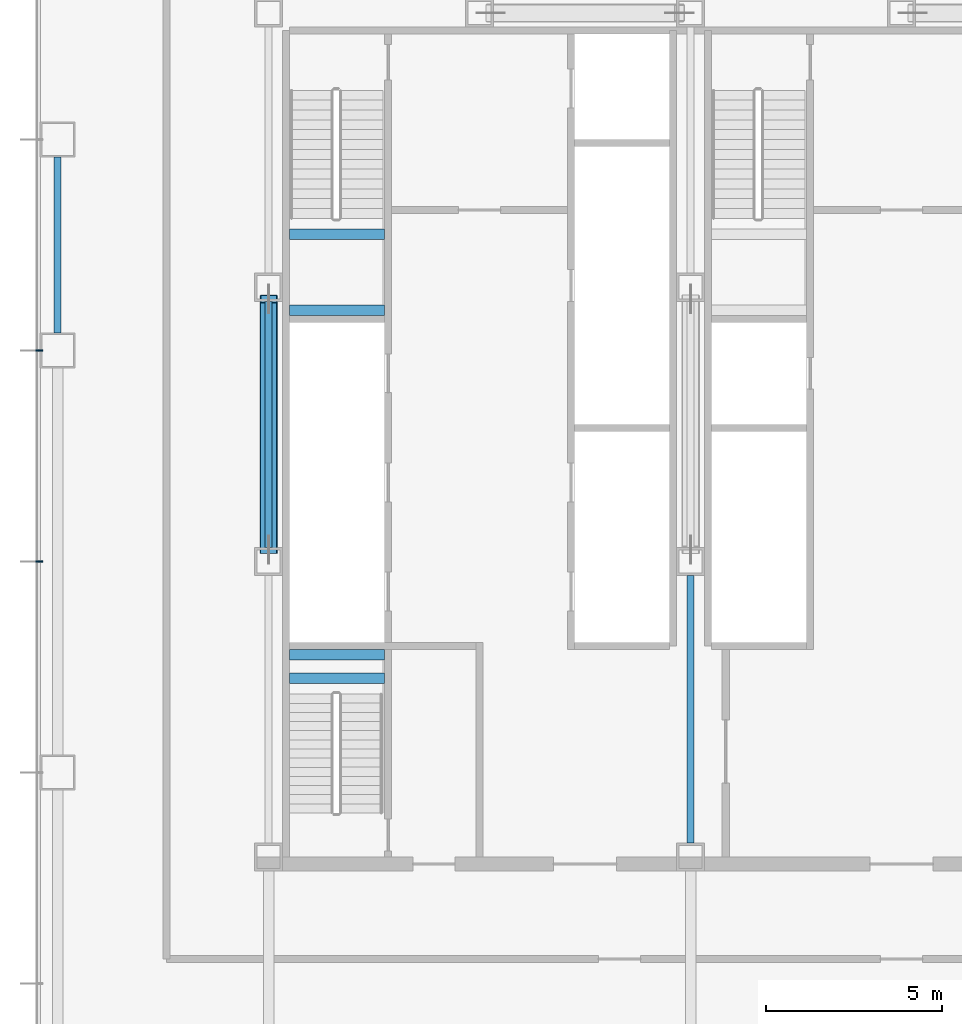
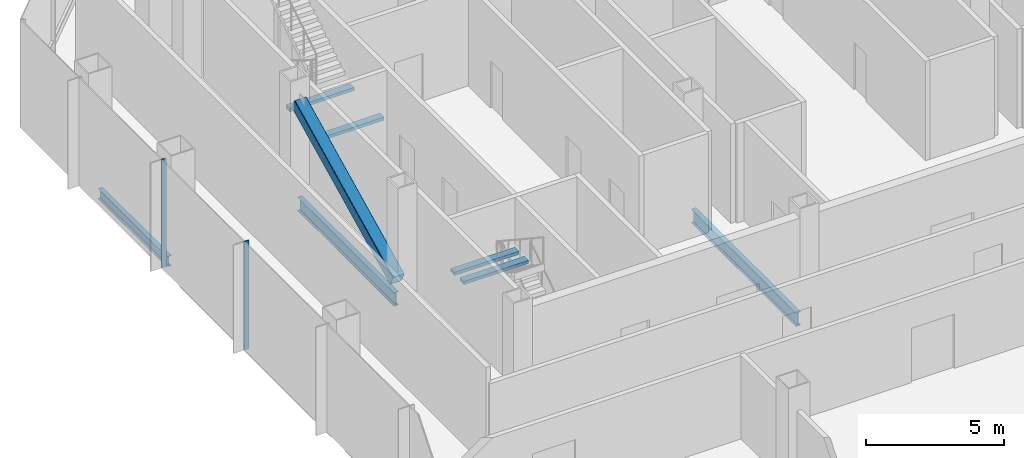
# One storey, part 11 of 33: 7 beams, 3 members, 1 element without a shape of its own.
"""IFC4 building model written with IfcOpenShell, lengths in metres."""

from ifc_helpers import new_model, si_unit, direction, frame, origin, origin_2d, place, context, subcontext, project, spatial, rectangle, hollow_rectangle, i_section, extrude, material, material_profile, profile_set, type_object, element, aggregate, save


model = new_model("IFC4")

# Units and contexts
model_context = context("Model", 3, precision=1e-05, world=origin(), true_north=direction((0.0, 1.0)))
body_context = subcontext(model_context, "Body", "Model", "MODEL_VIEW")
ifc_project = project(units=[si_unit("LENGTHUNIT", "METRE"), si_unit("AREAUNIT", "SQUARE_METRE"), si_unit("VOLUMEUNIT", "CUBIC_METRE"), si_unit("PLANEANGLEUNIT", "RADIAN"), si_unit("MASSUNIT", "GRAM", prefix="KILO")], contexts=[model_context])

# Site, building, storey
site_placement = place(None, origin())
site = spatial("IfcSite", under=ifc_project, at=site_placement, CompositionType="ELEMENT")
building_placement = place(site_placement, origin())
building = spatial("IfcBuilding", under=site, at=building_placement, Name="Sorahane Residences", CompositionType="ELEMENT")
storey_placement = place(building_placement, frame((0.0, 0.0, 30.0)))
storey = spatial("IfcBuildingStorey", under=building, at=storey_placement, Name="L04", CompositionType="ELEMENT", Elevation=30.0)

# Member
ifc_material_1 = material(Name="Steel Q355B", Category="steel")
ifc_material_profile_1 = material_profile(ifc_material_1, hollow_rectangle(XDim=0.5, YDim=0.5, WallThickness=0.02490234375, InnerFilletRadius=0.012451171875, OuterFilletRadius=0.03759765625, at=origin_2d()), Name="RHS 500x500x25")
ifc_profile_set_1 = profile_set([ifc_material_profile_1], Name="Steel Q355B")
member_type_1 = type_object("IfcMemberType", Name="Core brace RHS 500x500x25 Q355B", PredefinedType="BRACE", material=ifc_profile_set_1)
member_1_placement = place(storey_placement, frame((6.0, 30.333740234375, 0.21728515625), z_axis=(0.0, 0.89697311716, 0.44208509033), x_axis=(-1.0, 0.0, 0.0)))
element("IfcMember", 1, at=member_1_placement, inside=storey, type_object=member_type_1, Name="Core brace L04 x6-2", PredefinedType="BRACE", context=body_context, shape_type="SweptSolid", body=[
    extrude(hollow_rectangle(XDim=0.5, YDim=0.5, WallThickness=0.02490234375, InnerFilletRadius=0.012451171875, OuterFilletRadius=0.03759765625, at=origin_2d()), origin(), (0.0, 0.0, 1.0), 7.951904296875),
])

# Curtain wall, members
ifc_material_2 = material(Name="Dark low-e glass and black anodised aluminium", Category="aluminium")
curtain_wall_type = type_object("IfcCurtainWallType", Name="Curtain wall CW-3 Podium unitised wall", PredefinedType="NOTDEFINED", material=ifc_material_2)
curtain_wall_placement = place(storey_placement, origin())
curtain_wall = element("IfcCurtainWall", 2, at=curtain_wall_placement, inside=storey, type_object=curtain_wall_type, Name="CW-3 curtain wall L04 W1", PredefinedType="NOTDEFINED")
ifc_material_3 = material(Name="Black anodised aluminium", Category="aluminium")
ifc_material_profile_2 = material_profile(ifc_material_3, rectangle(XDim=0.199951171875, YDim=0.050048828125, at=origin_2d()), Name="Curtain wall mullion CW-3 black anodised aluminium 50x200")
ifc_profile_set_2 = profile_set([ifc_material_profile_2], Name="Black anodised aluminium")
member_type_2 = type_object("IfcMemberType", Name="Curtain wall mullion CW-3 black anodised aluminium 50x200", PredefinedType="MULLION", material=ifc_profile_set_2)
member_2_placement = place(storey_placement, frame((-0.52001953125, 36.0, -0.39990234375), z_axis=(0.0, 0.0, 1.0), x_axis=(-1.0, 0.0, 0.0)))
member_2 = element("IfcMember", 3, at=member_2_placement, type_object=member_type_2, Name="CW-3 mullion L04 W1.3", PredefinedType="MULLION", context=body_context, shape_type="SweptSolid", body=[
    extrude(rectangle(XDim=0.199951171875, YDim=0.050048828125, at=origin_2d()), origin(), (0.0, 0.0, 1.0), 4.7998046875),
])
member_3_placement = place(storey_placement, frame((-0.52001953125, 30.0, -0.39990234375), z_axis=(0.0, 0.0, 1.0), x_axis=(-1.0, 0.0, 0.0)))
member_3 = element("IfcMember", 4, at=member_3_placement, type_object=member_type_2, Name="CW-3 mullion L04 W1.4", PredefinedType="MULLION", context=body_context, shape_type="SweptSolid", body=[
    extrude(rectangle(XDim=0.199951171875, YDim=0.050048828125, at=origin_2d()), origin(), (0.0, 0.0, 1.0), 4.7998046875),
])
aggregate(curtain_wall, [member_2, member_3])

# Beams
ifc_material_4 = material(Name="Concrete C40", Category="concrete")
ifc_material_profile_3 = material_profile(ifc_material_4, rectangle(XDim=0.300048828125, YDim=0.139892578125, at=origin_2d()), Name="300x140")
ifc_profile_set_3 = profile_set([ifc_material_profile_3], Name="Concrete C40")
beam_type_1 = type_object("IfcBeamType", Name="RC landing beam 300 x 140 Concrete C40", PredefinedType="BEAM", material=ifc_profile_set_3)
for number, where, z_axis, x_axis, name in (
    (5, (6.60009765625, 37.14990234375, 2.1298828125), (1.0, 0.0, 0.0), (0.0, 1.0, 0.0), "Landing beam"),
    (6, (6.60009765625, 39.31005859375, 2.1298828125), (1.0, 0.0, 0.0), (0.0, 1.0, 0.0), "Landing beam"),
    (7, (6.60009765625, 26.679931640625, 2.1298828125), (1.0, 0.0, 0.0), (0.0, 1.0, 0.0), "Landing beam"),
    (8, (6.60009765625, 27.35009765625, 2.1298828125), (1.0, 0.0, 0.0), (0.0, 1.0, 0.0), "Landing beam"),
):
    element("IfcBeam", number, at=place(storey_placement, frame(where, z_axis=z_axis, x_axis=x_axis)), inside=storey, type_object=beam_type_1, Name=name, PredefinedType="BEAM", context=body_context, shape_type="SweptSolid", body=[
        extrude(rectangle(XDim=0.300048828125, YDim=0.139892578125, at=origin_2d()), origin(), (0.0, 0.0, 1.0), 2.699951171875),
    ])
ifc_material_5 = material(Name="Steel Q355B", Category="steel")
ifc_material_profile_4 = material_profile(ifc_material_5, i_section(OverallWidth=0.199951171875, OverallDepth=0.449951171875, WebThickness=0.009033203125, FlangeThickness=0.013916015625, FilletRadius=0.02001953125, at=origin_2d()), Name="HN 450x200x9x14")
ifc_profile_set_4 = profile_set([ifc_material_profile_4], Name="Steel Q355B")
beam_type_2 = type_object("IfcBeamType", Name="Steel floor beam HN 450x200x9x14 Q355B", PredefinedType="BEAM", material=ifc_profile_set_4)
beam_1_placement = place(storey_placement, frame((0.0, 36.5, -0.625), z_axis=(0.0, 1.0, 0.0), x_axis=(-1.0, 0.0, 0.0)))
element("IfcBeam", 9, at=beam_1_placement, inside=storey, type_object=beam_type_2, Name="Beam L04 028", PredefinedType="BEAM", context=body_context, shape_type="SweptSolid", body=[
    extrude(i_section(OverallWidth=0.199951171875, OverallDepth=0.449951171875, WebThickness=0.009033203125, FlangeThickness=0.013916015625, FilletRadius=0.02001953125, at=origin_2d()), origin(), (0.0, 0.0, 1.0), 5.0),
])
ifc_material_6 = material(Name="Steel Q355B", Category="steel")
ifc_material_profile_5 = material_profile(ifc_material_6, i_section(OverallWidth=0.199951171875, OverallDepth=0.60009765625, WebThickness=0.010986328125, FlangeThickness=0.01708984375, FilletRadius=0.02392578125, at=origin_2d()), Name="HN 600x200x11x17")
ifc_profile_set_5 = profile_set([ifc_material_profile_5], Name="Steel Q355B")
beam_type_3 = type_object("IfcBeamType", Name="Steel floor beam HN 600x200x11x17 Q355B", PredefinedType="BEAM", material=ifc_profile_set_5)
beam_2_placement = place(storey_placement, frame((6.0, 30.39990234375, -0.699951171875), z_axis=(0.0, 1.0, 0.0), x_axis=(-1.0, 0.0, 0.0)))
element("IfcBeam", 10, at=beam_2_placement, inside=storey, type_object=beam_type_3, Name="Beam L04 032", PredefinedType="BEAM", context=body_context, shape_type="SweptSolid", body=[
    extrude(i_section(OverallWidth=0.199951171875, OverallDepth=0.60009765625, WebThickness=0.010986328125, FlangeThickness=0.01708984375, FilletRadius=0.02392578125, at=origin_2d()), origin(), (0.0, 0.0, 1.0), 7.0),
])
beam_3_placement = place(storey_placement, frame((18.0, 22.0, -0.699951171875), z_axis=(0.0, 1.0, 0.0), x_axis=(-1.0, 0.0, 0.0)))
element("IfcBeam", 11, at=beam_3_placement, inside=storey, type_object=beam_type_3, Name="Beam L04 040", PredefinedType="BEAM", context=body_context, shape_type="SweptSolid", body=[
    extrude(i_section(OverallWidth=0.199951171875, OverallDepth=0.60009765625, WebThickness=0.010986328125, FlangeThickness=0.01708984375, FilletRadius=0.02392578125, at=origin_2d()), origin(), (0.0, 0.0, 1.0), 7.60009765625),
])

save(model, "model.ifc")
